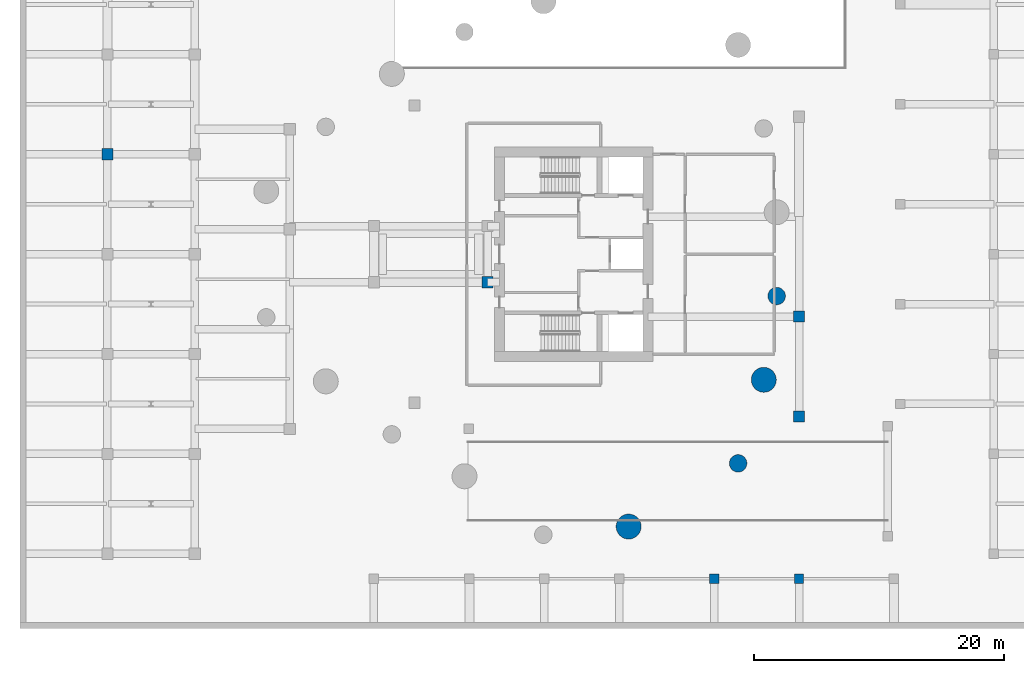
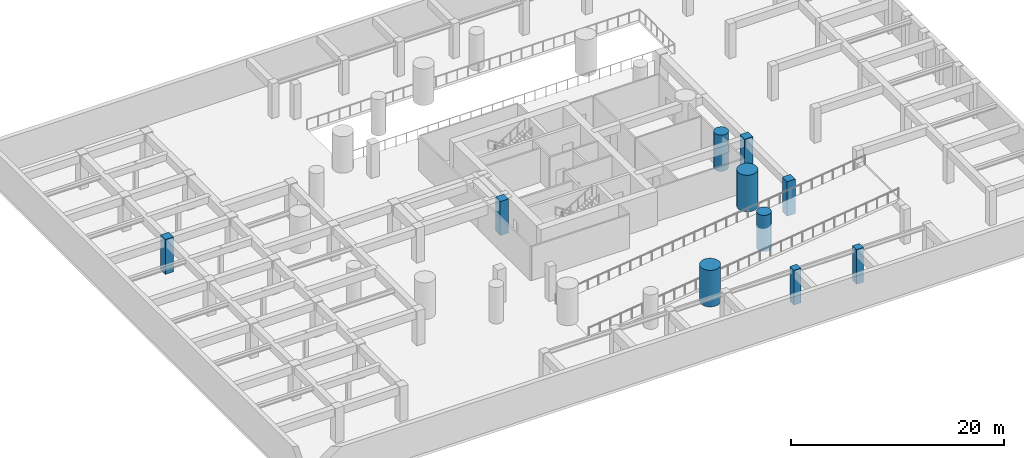
# One storey, part 2 of 10: 10 columns.
"""IFC4 building model written with IfcOpenShell, lengths in metres."""

from ifc_helpers import new_model, si_unit, direction, frame, origin, origin_2d, place, context, subcontext, project, spatial, rectangle, circle, extrude, source, transform, mapped, material, material_profile, profile_set, type_object, element, save


model = new_model("IFC4")

# Units and contexts
model_context = context("Model", 3, precision=1e-05, world=origin(), true_north=direction((0.0, 1.0)))
body_context = subcontext(model_context, "Body", "Model", "MODEL_VIEW")
ifc_project = project(units=[si_unit("LENGTHUNIT", "METRE"), si_unit("AREAUNIT", "SQUARE_METRE"), si_unit("VOLUMEUNIT", "CUBIC_METRE"), si_unit("PLANEANGLEUNIT", "RADIAN"), si_unit("MASSUNIT", "GRAM", prefix="KILO")], contexts=[model_context])

# Site, building, storey
site_placement = place(None, origin())
site = spatial("IfcSite", under=ifc_project, at=site_placement, CompositionType="ELEMENT")
building_placement = place(site_placement, origin())
building = spatial("IfcBuilding", under=site, at=building_placement, Name="Qafzar Sky-Pleat Residences", CompositionType="ELEMENT")
storey_placement = place(building_placement, frame((0.0, 0.0, -4.199951171875)))
storey = spatial("IfcBuildingStorey", under=building, at=storey_placement, Name="B01", CompositionType="ELEMENT", Elevation=-4.199951171875)

# Columns
ifc_material = material(Name="Concrete C60/75", Category="concrete")
ifc_material_profile_1 = material_profile(ifc_material, circle(Radius=1.0, at=origin_2d()), Name="RC D2000")
ifc_profile_set_1 = profile_set([ifc_material_profile_1], Name="Concrete C60/75")
column_type_1 = type_object("IfcColumnType", Name="COL-STILT-D2000", PredefinedType="COLUMN", material=ifc_profile_set_1)
shared_shape_1 = source(origin(), body_context, "Body", "SweptSolid", [
    extrude(circle(Radius=1.0, at=origin_2d()), origin(), (0.0, 0.0, 1.0), 4.195068359375),
])
for number, where, z_axis, x_axis, name in (
    (1, (34.753173828125, 4.177490234375, 0.0), (0.0, 0.0, 1.0), (1.0, 0.0, 0.0), "B01 Mega-Column STILT-04"),
    (2, (45.578125, 15.93408203125, 0.0), (0.0, 0.0, 1.0), (1.0, 0.0, 0.0), "B01 Mega-Column STILT-05"),
):
    element("IfcColumn", number, at=place(storey_placement, frame(where, z_axis=z_axis, x_axis=x_axis)), inside=storey, type_object=column_type_1, Name=name, PredefinedType="COLUMN", context=body_context, shape_type="MappedRepresentation", body=[
        mapped(shared_shape_1, transform((0.0, 0.0, 0.0), x_axis=(1.0, 0.0, 0.0), y_axis=(0.0, 1.0, 0.0), z_axis=(0.0, 0.0, 1.0), scale=1.0)),
    ])
ifc_material_profile_2 = material_profile(ifc_material, circle(Radius=0.699951171875, at=origin_2d()), Name="RC D1400")
ifc_profile_set_2 = profile_set([ifc_material_profile_2], Name="Concrete C60/75")
column_type_2 = type_object("IfcColumnType", Name="COL-MEGA-D1400", PredefinedType="COLUMN", material=ifc_profile_set_2)
shared_shape_2 = source(origin(), body_context, "Body", "SweptSolid", [
    extrude(circle(Radius=0.699951171875, at=origin_2d()), origin(), (0.0, 0.0, 1.0), 4.1572265625),
])
for number, where, z_axis, x_axis, name in (
    (3, (43.522216796875, 9.240234375, 0.0), (0.0, 0.0, 1.0), (1.0, 0.0, 0.0), "B01 Branch Mega-Column STILT-BR-04"),
    (4, (46.610107421875, 22.642578125, 0.0), (0.0, 0.0, 1.0), (1.0, 0.0, 0.0), "B01 Branch Mega-Column STILT-BR-05"),
):
    element("IfcColumn", number, at=place(storey_placement, frame(where, z_axis=z_axis, x_axis=x_axis)), inside=storey, type_object=column_type_2, Name=name, PredefinedType="COLUMN", context=body_context, shape_type="MappedRepresentation", body=[
        mapped(shared_shape_2, transform((0.0, 0.0, 0.0), x_axis=(1.0, 0.0, 0.0), y_axis=(0.0, 1.0, 0.0), z_axis=(0.0, 0.0, 1.0), scale=1.0)),
    ])
ifc_material_profile_3 = material_profile(ifc_material, rectangle(XDim=0.89990234375, YDim=0.89990234375, at=origin_2d()), Name="RC 900x900")
ifc_profile_set_3 = profile_set([ifc_material_profile_3], Name="Concrete C60/75")
column_type_3 = type_object("IfcColumnType", Name="COL-RC-900", PredefinedType="COLUMN", material=ifc_profile_set_3)
shared_shape_3 = source(origin(), body_context, "Body", "SweptSolid", [
    extrude(rectangle(XDim=0.89990234375, YDim=0.89990234375, at=origin_2d()), origin(), (0.0, 0.0, 1.0), 3.98486328125),
])
for number, where, z_axis, x_axis, name in (
    (5, (-7.0, 34.0, 0.0), (0.0, 0.0, 1.0), (1.0, 0.0, 0.0), "B01 Substructure Column 5"),
    (6, (48.39990234375, 13.0, 0.0), (0.0, 0.0, 1.0), (1.0, 0.0, 0.0), "B01 Substructure Column 18"),
    (7, (48.39990234375, 21.0, 0.0), (0.0, 0.0, 1.0), (1.0, 0.0, 0.0), "B01 Substructure Column 19"),
):
    element("IfcColumn", number, at=place(storey_placement, frame(where, z_axis=z_axis, x_axis=x_axis)), inside=storey, type_object=column_type_3, Name=name, PredefinedType="COLUMN", context=body_context, shape_type="MappedRepresentation", body=[
        mapped(shared_shape_3, transform((0.0, 0.0, 0.0), x_axis=(1.0, 0.0, 0.0), y_axis=(0.0, 1.0, 0.0), z_axis=(0.0, 0.0, 1.0), scale=1.0)),
    ])
shared_shape_4 = source(origin(), body_context, "Body", "SweptSolid", [
    extrude(rectangle(XDim=0.89990234375, YDim=0.89990234375, at=origin_2d()), origin(), (0.0, 0.0, 1.0), 3.89990234375),
])
column_placement = place(storey_placement, frame((23.449951171875, 23.75, 0.0), z_axis=(0.0, 0.0, 1.0), x_axis=(1.0, 0.0, 0.0)))
element("IfcColumn", 8, at=column_placement, inside=storey, type_object=column_type_3, Name="B01 Substructure Column 22", PredefinedType="COLUMN", context=body_context, shape_type="MappedRepresentation", body=[
    mapped(shared_shape_4, transform((0.0, 0.0, 0.0), x_axis=(1.0, 0.0, 0.0), y_axis=(0.0, 1.0, 0.0), z_axis=(0.0, 0.0, 1.0), scale=1.0)),
])
ifc_material_profile_4 = material_profile(ifc_material, rectangle(XDim=0.75, YDim=0.75, at=origin_2d()), Name="RC 750x750")
ifc_profile_set_4 = profile_set([ifc_material_profile_4], Name="Concrete C60/75")
column_type_4 = type_object("IfcColumnType", Name="COL-RC-750", PredefinedType="COLUMN", material=ifc_profile_set_4)
shared_shape_5 = source(origin(), body_context, "Body", "SweptSolid", [
    extrude(rectangle(XDim=0.75, YDim=0.75, at=origin_2d()), origin(), (0.0, 0.0, 1.0), 3.98486328125),
])
for number, where, z_axis, x_axis, name in (
    (9, (41.60009765625, 0.0, 0.0), (0.0, 0.0, 1.0), (1.0, 0.0, 0.0), "B01 Substructure Column 33"),
    (10, (48.39990234375, 0.0, 0.0), (0.0, 0.0, 1.0), (1.0, 0.0, 0.0), "B01 Substructure Column 34"),
):
    element("IfcColumn", number, at=place(storey_placement, frame(where, z_axis=z_axis, x_axis=x_axis)), inside=storey, type_object=column_type_4, Name=name, PredefinedType="COLUMN", context=body_context, shape_type="MappedRepresentation", body=[
        mapped(shared_shape_5, transform((0.0, 0.0, 0.0), x_axis=(1.0, 0.0, 0.0), y_axis=(0.0, 1.0, 0.0), z_axis=(0.0, 0.0, 1.0), scale=1.0)),
    ])

save(model, "model.ifc")
